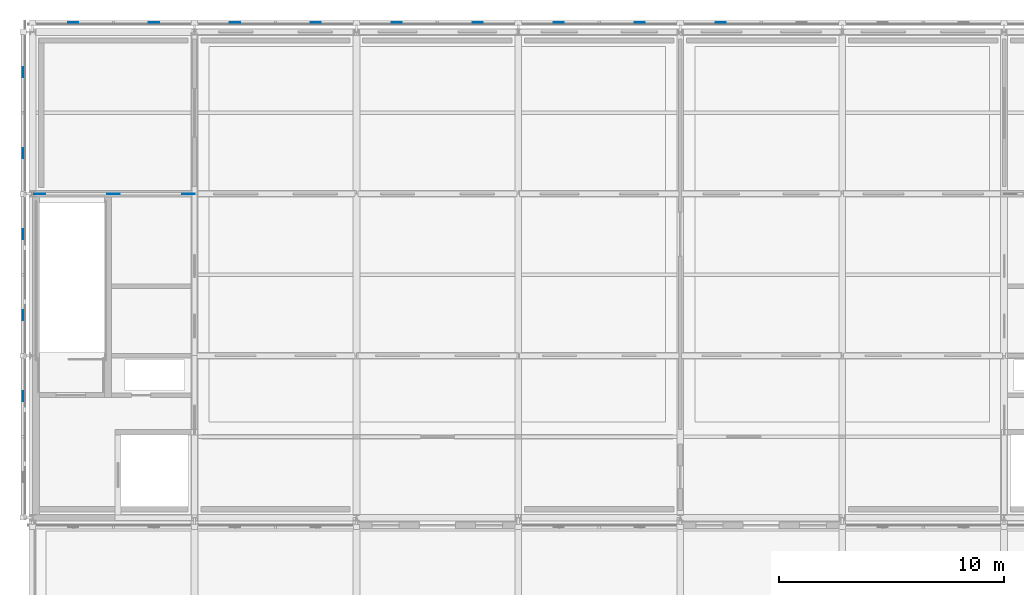
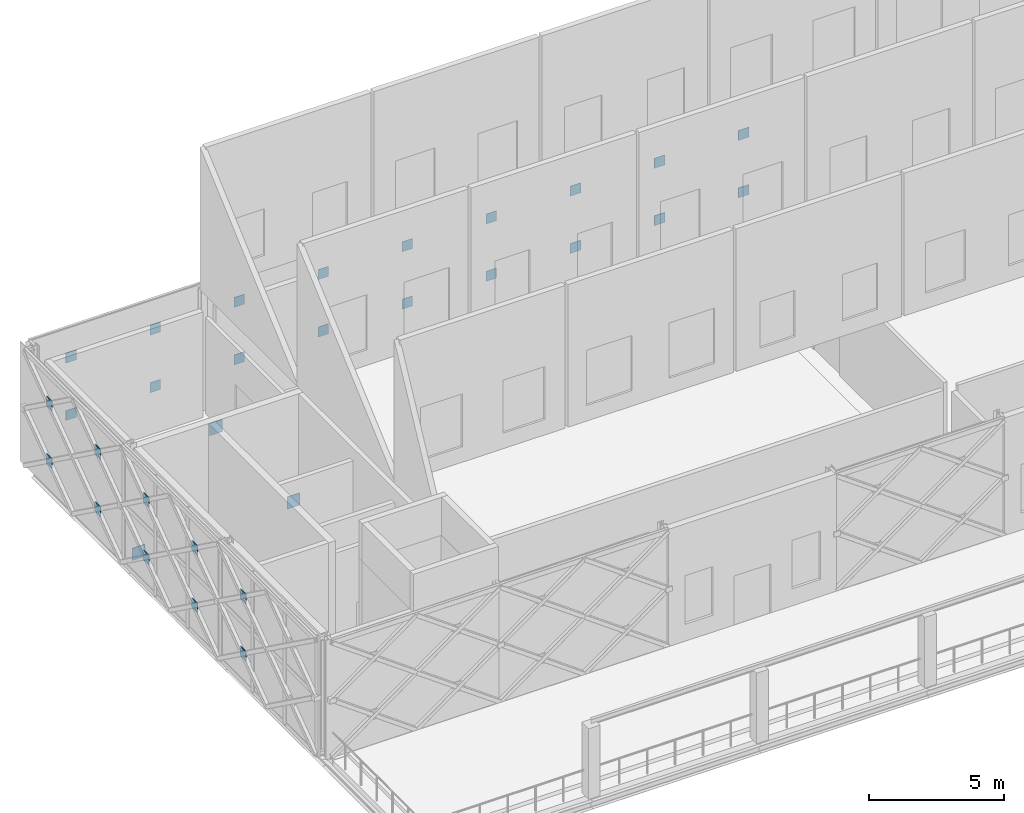
# One storey, part 23 of 31: 31 plates.
"""IFC4 building model written with IfcOpenShell, lengths in metres."""

from ifc_helpers import new_model, si_unit, direction, frame, origin, origin_2d, place, context, subcontext, project, spatial, rectangle, extrude, material, layer, layer_set, type_object, element, save


model = new_model("IFC4")

# Units and contexts
model_context = context("Model", 3, precision=1e-05, world=origin(), true_north=direction((0.0, 1.0)))
body_context = subcontext(model_context, "Body", "Model", "MODEL_VIEW")
ifc_project = project(units=[si_unit("LENGTHUNIT", "METRE"), si_unit("AREAUNIT", "SQUARE_METRE"), si_unit("VOLUMEUNIT", "CUBIC_METRE"), si_unit("PLANEANGLEUNIT", "RADIAN"), si_unit("MASSUNIT", "GRAM", prefix="KILO")], contexts=[model_context])

# Site, building, storey
site_placement = place(None, origin())
site = spatial("IfcSite", under=ifc_project, at=site_placement, CompositionType="ELEMENT")
building_placement = place(site_placement, origin())
building = spatial("IfcBuilding", under=site, at=building_placement, Name="Zlatovets Crest Museum", CompositionType="ELEMENT")
storey_placement = place(building_placement, frame((0.0, 0.0, 25.199951171875)))
storey = spatial("IfcBuildingStorey", under=building, at=storey_placement, Name="L05", CompositionType="ELEMENT", Elevation=25.199951171875)

# Plates
ifc_material = material(Name="Structural steel S355J2", Category="steel")
ifc_layer_1 = layer(ifc_material, 0.02490234375)
ifc_layer_set_1 = layer_set([ifc_layer_1], Name="Structural steel S355J2")
plate_type_1 = type_object("IfcPlateType", Name="Gusset_GP-01", PredefinedType="USERDEFINED", material=ifc_layer_set_1)
for number, where, z_axis, x_axis, name in (
    (1, (57.8798828125, 108.0, 0.0048828125), (0.0, 0.0, 1.0), (1.0, 0.0, 0.0), "V1 L05 Brace End Gusset Plate GP-01"),
    (2, (64.52001953125, 108.0, 0.0048828125), (0.0, 0.0, 1.0), (1.0, 0.0, 0.0), "V1 L05 Brace End Gusset Plate GP-01"),
    (3, (61.199951171875, 108.0, 4.4951171875), (0.0, 0.0, 1.0), (1.0, 0.0, 0.0), "V1 L05 Brace End Gusset Plate GP-01"),
):
    element("IfcPlate", number, at=place(storey_placement, frame(where, z_axis=z_axis, x_axis=x_axis)), inside=storey, type_object=plate_type_1, Name=name, ObjectType="GUSSET", PredefinedType="USERDEFINED", context=body_context, shape_type="SweptSolid", body=[
        extrude(rectangle(XDim=0.550048828125, YDim=0.02490234375, at=origin_2d()), origin(), (0.0, 0.0, 1.0), 0.550048828125),
    ])
ifc_layer_2 = layer(ifc_material, 0.02001953125)
ifc_layer_set_2 = layer_set([ifc_layer_2], Name="Structural steel S355J2")
plate_type_2 = type_object("IfcPlateType", Name="Gusset_GP-04", PredefinedType="USERDEFINED", material=ifc_layer_set_2)
for number, where, z_axis, x_axis, name in (
    (4, (88.199951171875, 115.6201171875, 1.17529296875), (0.0, 0.0, 1.0), (1.0, 0.0, 0.0), "X-Brace Crossing Node Gusset Plate GP-04"),
    (5, (88.199951171875, 115.6201171875, 3.77490234375), (0.0, 0.0, 1.0), (1.0, 0.0, 0.0), "X-Brace Crossing Node Gusset Plate GP-04"),
    (6, (84.60009765625, 115.6201171875, 1.17529296875), (0.0, 0.0, 1.0), (1.0, 0.0, 0.0), "X-Brace Crossing Node Gusset Plate GP-04"),
    (7, (81.0, 115.6201171875, 1.17529296875), (0.0, 0.0, 1.0), (1.0, 0.0, 0.0), "X-Brace Crossing Node Gusset Plate GP-04"),
    (8, (84.60009765625, 115.6201171875, 3.77490234375), (0.0, 0.0, 1.0), (1.0, 0.0, 0.0), "X-Brace Crossing Node Gusset Plate GP-04"),
    (9, (81.0, 115.6201171875, 3.77490234375), (0.0, 0.0, 1.0), (1.0, 0.0, 0.0), "X-Brace Crossing Node Gusset Plate GP-04"),
    (10, (77.39990234375, 115.6201171875, 1.17529296875), (0.0, 0.0, 1.0), (1.0, 0.0, 0.0), "X-Brace Crossing Node Gusset Plate GP-04"),
    (11, (73.800048828125, 115.6201171875, 1.17529296875), (0.0, 0.0, 1.0), (1.0, 0.0, 0.0), "X-Brace Crossing Node Gusset Plate GP-04"),
    (12, (77.39990234375, 115.6201171875, 3.77490234375), (0.0, 0.0, 1.0), (1.0, 0.0, 0.0), "X-Brace Crossing Node Gusset Plate GP-04"),
    (13, (73.800048828125, 115.6201171875, 3.77490234375), (0.0, 0.0, 1.0), (1.0, 0.0, 0.0), "X-Brace Crossing Node Gusset Plate GP-04"),
    (14, (70.199951171875, 115.6201171875, 1.17529296875), (0.0, 0.0, 1.0), (1.0, 0.0, 0.0), "X-Brace Crossing Node Gusset Plate GP-04"),
    (15, (66.60009765625, 115.6201171875, 1.17529296875), (0.0, 0.0, 1.0), (1.0, 0.0, 0.0), "X-Brace Crossing Node Gusset Plate GP-04"),
    (16, (70.199951171875, 115.6201171875, 3.77490234375), (0.0, 0.0, 1.0), (1.0, 0.0, 0.0), "X-Brace Crossing Node Gusset Plate GP-04"),
    (17, (66.60009765625, 115.6201171875, 3.77490234375), (0.0, 0.0, 1.0), (1.0, 0.0, 0.0), "X-Brace Crossing Node Gusset Plate GP-04"),
    (18, (63.0, 115.6201171875, 1.17529296875), (0.0, 0.0, 1.0), (1.0, 0.0, 0.0), "X-Brace Crossing Node Gusset Plate GP-04"),
    (19, (59.39990234375, 115.6201171875, 1.17529296875), (0.0, 0.0, 1.0), (1.0, 0.0, 0.0), "X-Brace Crossing Node Gusset Plate GP-04"),
    (20, (63.0, 115.6201171875, 3.77490234375), (0.0, 0.0, 1.0), (1.0, 0.0, 0.0), "X-Brace Crossing Node Gusset Plate GP-04"),
    (21, (59.39990234375, 115.6201171875, 3.77490234375), (0.0, 0.0, 1.0), (1.0, 0.0, 0.0), "X-Brace Crossing Node Gusset Plate GP-04"),
):
    element("IfcPlate", number, at=place(storey_placement, frame(where, z_axis=z_axis, x_axis=x_axis)), inside=storey, type_object=plate_type_2, Name=name, ObjectType="GUSSET", PredefinedType="USERDEFINED", context=body_context, shape_type="SweptSolid", body=[
        extrude(rectangle(XDim=0.449951171875, YDim=0.02001953125, at=origin_2d()), origin(), (0.0, 0.0, 1.0), 0.449951171875),
    ])
for number, where, z_axis, x_axis, name in (
    (22, (57.179931640625, 113.39990234375, 1.17529296875), (0.0, 0.0, 1.0), (1.0, 0.0, 0.0), "X-Brace Crossing Node Gusset Plate GP-04"),
    (23, (57.179931640625, 109.800048828125, 1.17529296875), (0.0, 0.0, 1.0), (1.0, 0.0, 0.0), "X-Brace Crossing Node Gusset Plate GP-04"),
    (24, (57.179931640625, 113.39990234375, 3.77490234375), (0.0, 0.0, 1.0), (1.0, 0.0, 0.0), "X-Brace Crossing Node Gusset Plate GP-04"),
    (25, (57.179931640625, 109.800048828125, 3.77490234375), (0.0, 0.0, 1.0), (1.0, 0.0, 0.0), "X-Brace Crossing Node Gusset Plate GP-04"),
    (26, (57.179931640625, 106.199951171875, 1.17529296875), (0.0, 0.0, 1.0), (1.0, 0.0, 0.0), "X-Brace Crossing Node Gusset Plate GP-04"),
    (27, (57.179931640625, 102.60009765625, 1.17529296875), (0.0, 0.0, 1.0), (1.0, 0.0, 0.0), "X-Brace Crossing Node Gusset Plate GP-04"),
    (28, (57.179931640625, 106.199951171875, 3.77490234375), (0.0, 0.0, 1.0), (1.0, 0.0, 0.0), "X-Brace Crossing Node Gusset Plate GP-04"),
    (29, (57.179931640625, 102.60009765625, 3.77490234375), (0.0, 0.0, 1.0), (1.0, 0.0, 0.0), "X-Brace Crossing Node Gusset Plate GP-04"),
    (30, (57.179931640625, 99.0, 1.17529296875), (0.0, 0.0, 1.0), (1.0, 0.0, 0.0), "X-Brace Crossing Node Gusset Plate GP-04"),
    (31, (57.179931640625, 99.0, 3.77490234375), (0.0, 0.0, 1.0), (1.0, 0.0, 0.0), "X-Brace Crossing Node Gusset Plate GP-04"),
):
    element("IfcPlate", number, at=place(storey_placement, frame(where, z_axis=z_axis, x_axis=x_axis)), inside=storey, type_object=plate_type_2, Name=name, ObjectType="GUSSET", PredefinedType="USERDEFINED", context=body_context, shape_type="SweptSolid", body=[
        extrude(rectangle(XDim=0.02001953125, YDim=0.449951171875, at=origin_2d()), origin(), (0.0, 0.0, 1.0), 0.449951171875),
    ])

save(model, "model.ifc")
